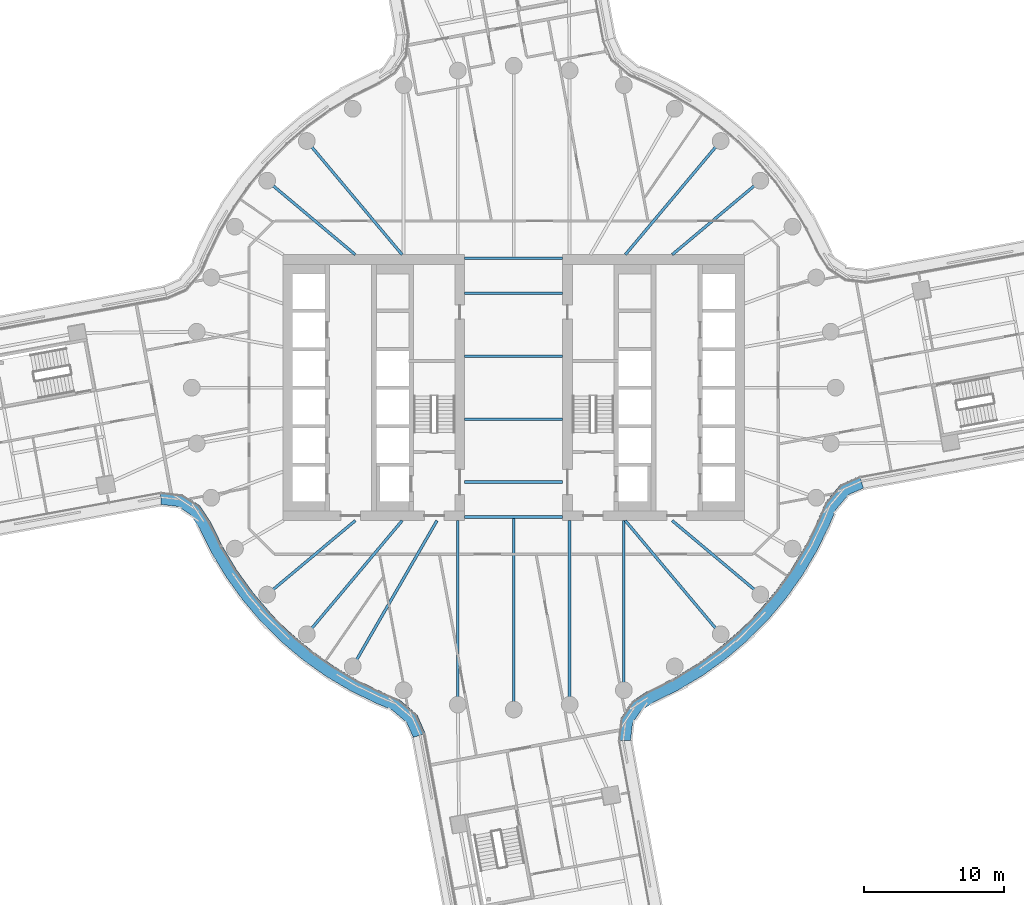
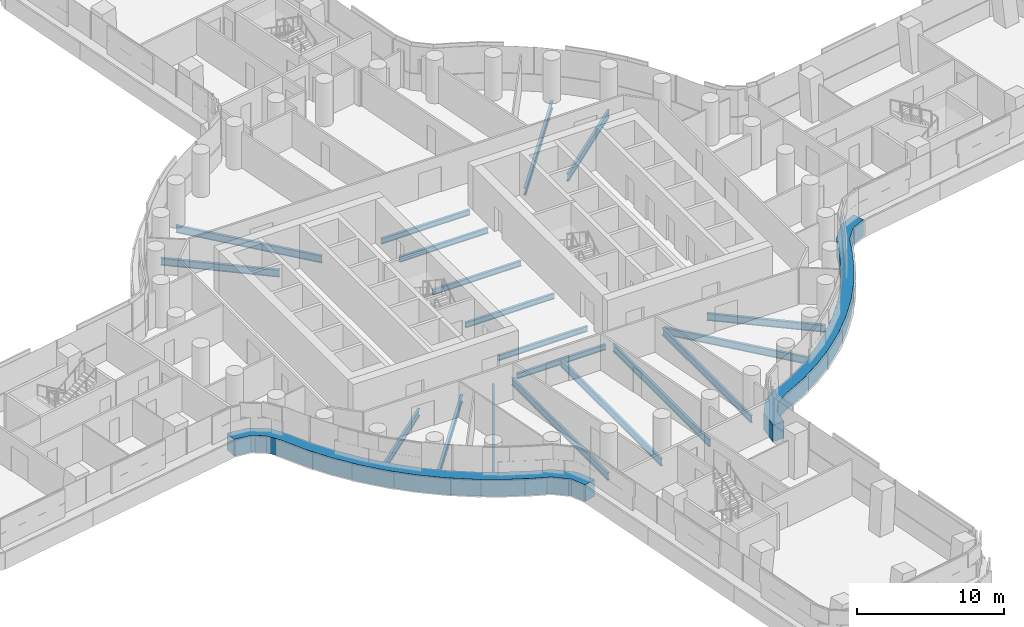
# One storey, part 10 of 33: 19 beams, 2 members, 2 elements without a shape of their own.
"""IFC4 building model written with IfcOpenShell, lengths in metres."""

from ifc_helpers import new_model, si_unit, direction, frame, origin, origin_2d, place, context, subcontext, project, spatial, polyline, i_section, outline, extrude, material, layer, layer_set, material_profile, profile_set, type_object, element, aggregate, save


model = new_model("IFC4")

# Units and contexts
model_context = context("Model", 3, precision=1e-05, world=origin(), true_north=direction((0.0, 1.0)))
body_context = subcontext(model_context, "Body", "Model", "MODEL_VIEW")
ifc_project = project(units=[si_unit("LENGTHUNIT", "METRE"), si_unit("AREAUNIT", "SQUARE_METRE"), si_unit("VOLUMEUNIT", "CUBIC_METRE"), si_unit("PLANEANGLEUNIT", "RADIAN"), si_unit("MASSUNIT", "GRAM", prefix="KILO")], contexts=[model_context])

# Site, building, storey
site_placement = place(None, origin())
site = spatial("IfcSite", under=ifc_project, at=site_placement, CompositionType="ELEMENT")
building_placement = place(site_placement, origin())
building = spatial("IfcBuilding", under=site, at=building_placement, Name="Tamarind Cross Interchange Tower", CompositionType="ELEMENT")
storey_placement = place(building_placement, frame((0.0, 0.0, 71.5)))
storey = spatial("IfcBuildingStorey", under=building, at=storey_placement, Name="L16", CompositionType="ELEMENT", Elevation=71.5)

# Beams
ifc_material_1 = material(Name="Steel Q355B", Category="steel")
ifc_material_profile_1 = material_profile(ifc_material_1, i_section(OverallWidth=0.198974609375, OverallDepth=0.446044921875, WebThickness=0.008056640625, FlangeThickness=0.011962890625, FilletRadius=0.012939453125, at=origin_2d()), Name="HN 446x199x8x12")
ifc_profile_set_1 = profile_set([ifc_material_profile_1], Name="Steel Q355B")
beam_type_1 = type_object("IfcBeamType", Name="Composite beam HN 446x199x8x12 Q355B", PredefinedType="BEAM", material=ifc_profile_set_1)
for number, where, z_axis, x_axis, name in (
    (1, (-3.5, -2.25, -0.363037109375), (1.0, 0.0, 0.0), (0.0, 1.0, 0.0), "Beam G-2.25"),
    (2, (-3.5, -6.75, -0.363037109375), (1.0, 0.0, 0.0), (0.0, 1.0, 0.0), "Beam G-6.75"),
    (3, (-3.5, -9.25, -0.363037109375), (1.0, 0.0, 0.0), (0.0, 1.0, 0.0), "Beam G-9.25"),
    (4, (-3.5, 2.25, -0.363037109375), (1.0, 0.0, 0.0), (0.0, 1.0, 0.0), "Beam G2.25"),
    (5, (-3.5, 6.75, -0.363037109375), (1.0, 0.0, 0.0), (0.0, 1.0, 0.0), "Beam G6.75"),
    (6, (-3.5, 9.25, -0.363037109375), (1.0, 0.0, 0.0), (0.0, 1.0, 0.0), "Beam G9.25"),
):
    element("IfcBeam", number, at=place(storey_placement, frame(where, z_axis=z_axis, x_axis=x_axis)), inside=storey, type_object=beam_type_1, Name=name, PredefinedType="BEAM", context=body_context, shape_type="SweptSolid", body=[
        extrude(i_section(OverallWidth=0.198974609375, OverallDepth=0.446044921875, WebThickness=0.008056640625, FlangeThickness=0.011962890625, FilletRadius=0.012939453125, at=origin_2d()), origin(), (0.0, 0.0, 1.0), 7.0),
    ])
ifc_material_profile_2 = material_profile(ifc_material_1, i_section(OverallWidth=0.198974609375, OverallDepth=0.595947265625, WebThickness=0.010009765625, FlangeThickness=0.014892578125, FilletRadius=0.012939453125, at=origin_2d()), Name="HN 596x199x10x15")
ifc_profile_set_2 = profile_set([ifc_material_profile_2], Name="Steel Q355B")
beam_type_2 = type_object("IfcBeamType", Name="Composite beam HN 596x199x10x15 Q355B", PredefinedType="BEAM", material=ifc_profile_set_2)
beam_1_placement = place(storey_placement, frame((17.619140625, 14.7841796875, -0.43798828125), z_axis=(-0.766040580814, -0.642792212574, 0.0), x_axis=(0.642792212574, -0.766040580814, 0.0)))
element("IfcBeam", 7, at=beam_1_placement, inside=storey, type_object=beam_type_2, Name="Beam HH04", PredefinedType="BEAM", context=body_context, shape_type="SweptSolid", body=[
    extrude(i_section(OverallWidth=0.198974609375, OverallDepth=0.595947265625, WebThickness=0.010009765625, FlangeThickness=0.014892578125, FilletRadius=0.012939453125, at=origin_2d()), origin(), (0.0, 0.0, 1.0), 8.220703125),
])
for number, where, z_axis, x_axis, name in (
    (8, (14.7841796875, 17.619140625, -0.43798828125), (-0.642786293979, -0.766045547127, 0.0), (0.766045547127, -0.642786293979, 0.0), "Beam HH05"),
    (9, (-14.7841796875, 17.619140625, -0.43798828125), (0.642786293979, -0.766045547127, 0.0), (0.766045547127, 0.642786293979, 0.0), "Beam HH13"),
):
    element("IfcBeam", number, at=place(storey_placement, frame(where, z_axis=z_axis, x_axis=x_axis)), inside=storey, type_object=beam_type_2, Name=name, PredefinedType="BEAM", context=body_context, shape_type="SweptSolid", body=[
        extrude(i_section(OverallWidth=0.198974609375, OverallDepth=0.595947265625, WebThickness=0.010009765625, FlangeThickness=0.014892578125, FilletRadius=0.012939453125, at=origin_2d()), origin(), (0.0, 0.0, 1.0), 10.598876953125),
    ])
for number, where, z_axis, x_axis, name in (
    (10, (-17.619140625, 14.7841796875, -0.43798828125), (0.766040580814, -0.642792212574, 0.0), (0.642792212574, 0.766040580814, 0.0), "Beam HH14"),
    (11, (-17.619140625, -14.7841796875, -0.43798828125), (0.766040580814, 0.642792212574, 0.0), (-0.642792212574, 0.766040580814, 0.0), "Beam HH22"),
):
    element("IfcBeam", number, at=place(storey_placement, frame(where, z_axis=z_axis, x_axis=x_axis)), inside=storey, type_object=beam_type_2, Name=name, PredefinedType="BEAM", context=body_context, shape_type="SweptSolid", body=[
        extrude(i_section(OverallWidth=0.198974609375, OverallDepth=0.595947265625, WebThickness=0.010009765625, FlangeThickness=0.014892578125, FilletRadius=0.012939453125, at=origin_2d()), origin(), (0.0, 0.0, 1.0), 8.220703125),
    ])
beam_2_placement = place(storey_placement, frame((-14.7841796875, -17.619140625, -0.43798828125), z_axis=(0.642786293979, 0.766045547127, 0.0), x_axis=(-0.766045547127, 0.642786293979, 0.0)))
element("IfcBeam", 12, at=beam_2_placement, inside=storey, type_object=beam_type_2, Name="Beam HH23", PredefinedType="BEAM", context=body_context, shape_type="SweptSolid", body=[
    extrude(i_section(OverallWidth=0.198974609375, OverallDepth=0.595947265625, WebThickness=0.010009765625, FlangeThickness=0.014892578125, FilletRadius=0.012939453125, at=origin_2d()), origin(), (0.0, 0.0, 1.0), 10.598876953125),
])
beam_3_placement = place(storey_placement, frame((-11.5, -19.918701171875, -0.43798828125), z_axis=(0.499993565836, 0.866029118519, 0.0), x_axis=(-0.866029118519, 0.499993565836, 0.0)))
element("IfcBeam", 13, at=beam_3_placement, inside=storey, type_object=beam_type_2, Name="Beam HH24", PredefinedType="BEAM", context=body_context, shape_type="SweptSolid", body=[
    extrude(i_section(OverallWidth=0.198974609375, OverallDepth=0.595947265625, WebThickness=0.010009765625, FlangeThickness=0.014892578125, FilletRadius=0.012939453125, at=origin_2d()), origin(), (0.0, 0.0, 1.0), 12.030517578125),
])
beam_4_placement = place(storey_placement, frame((-3.993896484375, -22.650634765625, -0.43798828125), z_axis=(0.0, 1.0, 0.0), x_axis=(-1.0, 0.0, 0.0)))
element("IfcBeam", 14, at=beam_4_placement, inside=storey, type_object=beam_type_2, Name="Beam HH26", PredefinedType="BEAM", context=body_context, shape_type="SweptSolid", body=[
    extrude(i_section(OverallWidth=0.198974609375, OverallDepth=0.595947265625, WebThickness=0.010009765625, FlangeThickness=0.014892578125, FilletRadius=0.012939453125, at=origin_2d()), origin(), (0.0, 0.0, 1.0), 13.150634765625),
])
beam_5_placement = place(storey_placement, frame((0.0, -23.0, -0.43798828125), z_axis=(0.0, 1.0, 0.0), x_axis=(-1.0, 0.0, 0.0)))
element("IfcBeam", 15, at=beam_5_placement, inside=storey, type_object=beam_type_2, Name="Beam HH27", PredefinedType="BEAM", context=body_context, shape_type="SweptSolid", body=[
    extrude(i_section(OverallWidth=0.198974609375, OverallDepth=0.595947265625, WebThickness=0.010009765625, FlangeThickness=0.014892578125, FilletRadius=0.012939453125, at=origin_2d()), origin(), (0.0, 0.0, 1.0), 13.75),
])
beam_6_placement = place(storey_placement, frame((3.993896484375, -22.650634765625, -0.43798828125), z_axis=(0.0, 1.0, 0.0), x_axis=(-1.0, 0.0, 0.0)))
element("IfcBeam", 16, at=beam_6_placement, inside=storey, type_object=beam_type_2, Name="Beam HH28", PredefinedType="BEAM", context=body_context, shape_type="SweptSolid", body=[
    extrude(i_section(OverallWidth=0.198974609375, OverallDepth=0.595947265625, WebThickness=0.010009765625, FlangeThickness=0.014892578125, FilletRadius=0.012939453125, at=origin_2d()), origin(), (0.0, 0.0, 1.0), 13.150634765625),
])
beam_7_placement = place(storey_placement, frame((7.866455078125, -21.613037109375, -0.43798828125), z_axis=(0.0, 1.0, 0.0), x_axis=(-1.0, 0.0, 0.0)))
element("IfcBeam", 17, at=beam_7_placement, inside=storey, type_object=beam_type_2, Name="Beam HH29", PredefinedType="BEAM", context=body_context, shape_type="SweptSolid", body=[
    extrude(i_section(OverallWidth=0.198974609375, OverallDepth=0.595947265625, WebThickness=0.010009765625, FlangeThickness=0.014892578125, FilletRadius=0.012939453125, at=origin_2d()), origin(), (0.0, 0.0, 1.0), 12.113037109375),
])
beam_8_placement = place(storey_placement, frame((14.7841796875, -17.619140625, -0.43798828125), z_axis=(-0.642786293979, 0.766045547127, 0.0), x_axis=(-0.766045547127, -0.642786293979, 0.0)))
element("IfcBeam", 18, at=beam_8_placement, inside=storey, type_object=beam_type_2, Name="Beam HH31", PredefinedType="BEAM", context=body_context, shape_type="SweptSolid", body=[
    extrude(i_section(OverallWidth=0.198974609375, OverallDepth=0.595947265625, WebThickness=0.010009765625, FlangeThickness=0.014892578125, FilletRadius=0.012939453125, at=origin_2d()), origin(), (0.0, 0.0, 1.0), 10.598876953125),
])
beam_9_placement = place(storey_placement, frame((17.619140625, -14.7841796875, -0.43798828125), z_axis=(-0.766040580814, 0.642792212574, 0.0), x_axis=(-0.642792212574, -0.766040580814, 0.0)))
element("IfcBeam", 19, at=beam_9_placement, inside=storey, type_object=beam_type_2, Name="Beam HH32", PredefinedType="BEAM", context=body_context, shape_type="SweptSolid", body=[
    extrude(i_section(OverallWidth=0.198974609375, OverallDepth=0.595947265625, WebThickness=0.010009765625, FlangeThickness=0.014892578125, FilletRadius=0.012939453125, at=origin_2d()), origin(), (0.0, 0.0, 1.0), 8.220703125),
])

# Curtain wall, member
ifc_material_2 = material(Name="Aluminium 6063-T6", Category="aluminium")
ifc_layer = layer(ifc_material_2, 0.159912109375)
ifc_layer_set = layer_set([ifc_layer], Name="Aluminium 6063-T6")
curtain_wall_type = type_object("IfcCurtainWallType", Name="Office curtain wall, 9.0 m bays", PredefinedType="NOTDEFINED", material=ifc_layer_set)
curtain_wall_1_placement = place(storey_placement, origin())
curtain_wall_1 = element("IfcCurtainWall", 20, at=curtain_wall_1_placement, inside=storey, type_object=curtain_wall_type, Name="CWS-L16-02", PredefinedType="NOTDEFINED")
ifc_material_3 = material(Name="Aluminium and insulated spandrel panel", Category="aluminium")
member_type = type_object("IfcMemberType", Name="Floor-edge blade transom", PredefinedType="USERDEFINED", material=ifc_material_3)
member_1_placement = place(storey_placement, origin())
member_1 = element("IfcMember", 21, at=member_1_placement, type_object=member_type, Name="CWT-L16-02", ObjectType="TRANSOM", PredefinedType="USERDEFINED", context=body_context, shape_type="SweptSolid", body=[
    extrude(outline(polyline([(-25.23046875, -7.435546875), (-23.6611328125, -7.62158203125), (-22.426025390625, -8.432861328125), (-21.672119140625, -9.58447265625), (-20.791015625, -11.367431640625), (-19.78125, -13.045654296875), (-18.636474609375, -14.634521484375), (-17.3642578125, -16.12353515625), (-15.973388671875, -17.50244140625), (-14.4736328125, -18.76171875), (-12.874755859375, -19.892822265625), (-11.188232421875, -20.88818359375), (-9.4208984375, -21.74267578125), (-8.221435546875, -22.24609375), (-6.90625, -23.361572265625), (-6.311767578125, -24.71728515625), (-7.177978515625, -24.983154296875), (-7.64697265625, -23.913330078125), (-8.69775390625, -23.022216796875), (-9.791259765625, -22.563232421875), (-11.613525390625, -21.68212890625), (-13.3642578125, -20.64892578125), (-15.023681640625, -19.474853515625), (-16.580810546875, -18.167724609375), (-18.0244140625, -16.736572265625), (-19.344970703125, -15.19091796875), (-20.533203125, -13.54150390625), (-21.581298828125, -11.799560546875), (-22.455078125, -10.03173828125), (-23.076416015625, -9.082275390625), (-23.977783203125, -8.490234375), (-25.201904296875, -8.34521484375), (-25.23046875, -7.435546875)])), origin(), (0.0, 0.0, 1.0), 1.39990234375),
])
aggregate(curtain_wall_1, [member_1])

curtain_wall_2_placement = place(storey_placement, origin())
curtain_wall_2 = element("IfcCurtainWall", 22, at=curtain_wall_2_placement, inside=storey, type_object=curtain_wall_type, Name="CWS-L16-06", PredefinedType="NOTDEFINED")
member_2_placement = place(storey_placement, origin())
member_2 = element("IfcMember", 23, at=member_2_placement, type_object=member_type, Name="CWT-L16-06", ObjectType="TRANSOM", PredefinedType="USERDEFINED", context=body_context, shape_type="SweptSolid", body=[
    extrude(outline(polyline([(7.435546875, -25.23046875), (7.62158203125, -23.6611328125), (8.432861328125, -22.426025390625), (9.58447265625, -21.672119140625), (11.367431640625, -20.791015625), (13.045654296875, -19.78125), (14.634521484375, -18.636474609375), (16.12353515625, -17.3642578125), (17.50244140625, -15.973388671875), (18.76171875, -14.4736328125), (19.892822265625, -12.874755859375), (20.88818359375, -11.188232421875), (21.74267578125, -9.4208984375), (22.24609375, -8.221435546875), (23.361572265625, -6.90625), (24.71728515625, -6.311767578125), (24.983154296875, -7.177978515625), (23.913330078125, -7.64697265625), (23.022216796875, -8.69775390625), (22.563232421875, -9.791259765625), (21.68212890625, -11.613525390625), (20.64892578125, -13.3642578125), (19.474853515625, -15.023681640625), (18.167724609375, -16.580810546875), (16.736572265625, -18.0244140625), (15.19091796875, -19.344970703125), (13.54150390625, -20.533203125), (11.799560546875, -21.581298828125), (10.03173828125, -22.455078125), (9.082275390625, -23.076416015625), (8.490234375, -23.977783203125), (8.34521484375, -25.201904296875), (7.435546875, -25.23046875)])), origin(), (0.0, 0.0, 1.0), 1.39990234375),
])
aggregate(curtain_wall_2, [member_2])

save(model, "model.ifc")
